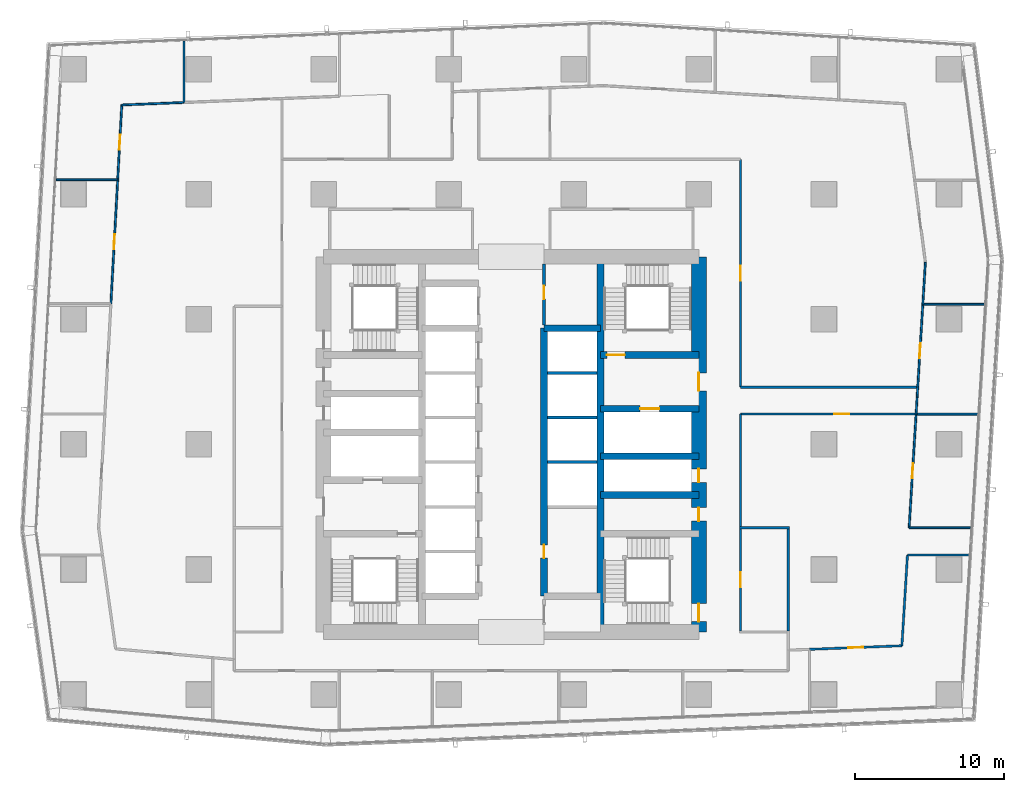
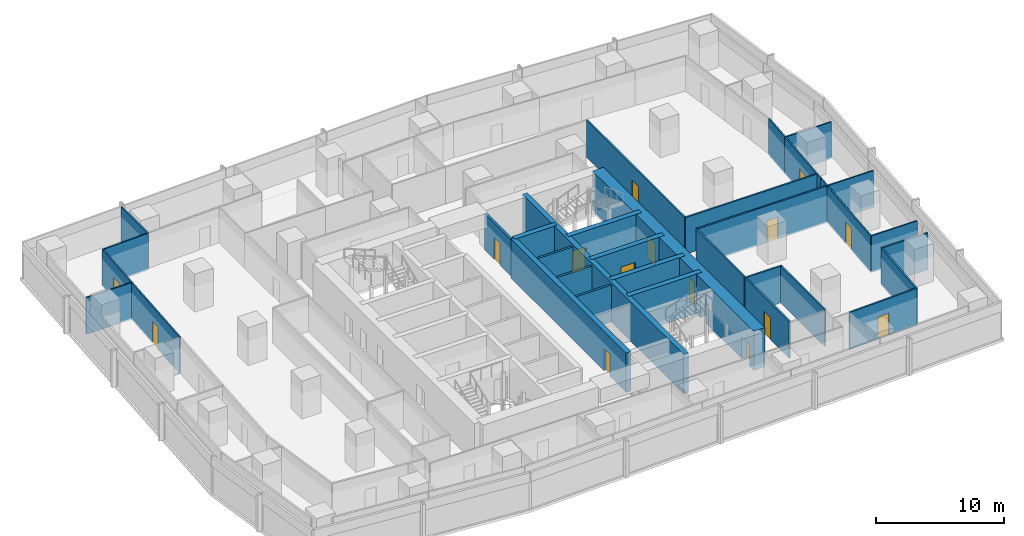
# One storey, part 30 of 40: 34 walls, 16 doors, 16 openings.
"""IFC4 building model written with IfcOpenShell, lengths in metres."""

from ifc_helpers import new_model, si_unit, direction, frame, frame_2d, origin, place, context, subcontext, project, spatial, rectangle, extrude, material, layer, layer_set, type_object, element, fill, save


model = new_model("IFC4")

# Units and contexts
model_context = context("Model", 3, precision=1e-05, world=origin(), true_north=direction((0.0, 1.0)))
body_context = subcontext(model_context, "Body", "Model", "MODEL_VIEW")
ifc_project = project(units=[si_unit("LENGTHUNIT", "METRE"), si_unit("AREAUNIT", "SQUARE_METRE"), si_unit("VOLUMEUNIT", "CUBIC_METRE"), si_unit("PLANEANGLEUNIT", "RADIAN"), si_unit("MASSUNIT", "GRAM", prefix="KILO")], contexts=[model_context])

# Site, building, storey
site_placement = place(None, origin())
site = spatial("IfcSite", under=ifc_project, at=site_placement, CompositionType="ELEMENT")
building_placement = place(site_placement, origin())
building = spatial("IfcBuilding", under=site, at=building_placement, Name="Rekha Terrace Tower", CompositionType="ELEMENT")
storey_placement = place(building_placement, frame((0.0, 0.0, 125.300048828125)))
storey = spatial("IfcBuildingStorey", under=building, at=storey_placement, Name="L31", CompositionType="ELEMENT", Elevation=125.300048828125)

# Wall
ifc_material_1 = material(Name="Concrete M70", Category="concrete")
ifc_layer_1 = layer(ifc_material_1, 0.449951171875)
ifc_layer_set_1 = layer_set([ifc_layer_1], Name="Concrete M70")
wall_type_1 = type_object("IfcWallType", Name="CI2 450 core internal shear wall", PredefinedType="SHEAR", material=ifc_layer_set_1)
wall_1_placement = place(storey_placement, frame((43.800048828125, 21.0, 0.0), z_axis=(0.0, 0.0, 1.0), x_axis=(0.0, 1.0, 0.0)))
element("IfcWall", 1, at=wall_1_placement, inside=storey, type_object=wall_type_1, Name="Core wall X438 L31", PredefinedType="SHEAR", context=body_context, shape_type="SweptSolid", body=[
    extrude(rectangle(XDim=25.199951171875, YDim=0.449951171875, at=frame_2d((12.60009765625, 0.0))), origin(), (0.0, 0.0, 1.0), 3.75),
])

# Wall, opening, door
wall_2_placement = place(storey_placement, frame((40.0, 23.39990234375, 0.0), z_axis=(0.0, 0.0, 1.0), x_axis=(0.0, 1.0, 0.0)))
wall_2 = element("IfcWall", 2, at=wall_2_placement, inside=storey, type_object=wall_type_1, Name="Core wall X400 L31", PredefinedType="SHEAR", context=body_context, shape_type="SweptSolid", body=[
    extrude(rectangle(XDim=18.0, YDim=0.449951171875, at=frame_2d((9.0, 0.0))), origin(), (0.0, 0.0, 1.0), 3.75),
])
opening_1_placement = place(wall_2_placement, frame((2.550048828125, 0.0, 0.0)))
opening_1 = element("IfcOpeningElement", 3, at=opening_1_placement, cuts=wall_2, Name="Opening D5", PredefinedType="OPENING", context=body_context, shape_type="SweptSolid", body=[
    extrude(rectangle(XDim=0.89990234375, YDim=2.10009765625, at=frame_2d((0.449951171875, 1.050048828125))), frame((0.0, 0.23486328125, 0.0), z_axis=(0.0, -1.0, 0.0), x_axis=(1.0, 0.0, 0.0)), (0.0, 0.0, 1.0), 0.469970703125),
])
ifc_material_2 = material(Name="Steel fire door", Category="steel")
door_type_1 = type_object("IfcDoorType", Name="D5 900x2100 riser access door", OperationType="SINGLE_SWING_LEFT", PredefinedType="DOOR", material=ifc_material_2)
door_1_placement = place(opening_1_placement, origin())
door_1 = element("IfcDoor", 4, at=door_1_placement, inside=storey, type_object=door_type_1, Name="Door back-of-house store L31", OperationType="SINGLE_SWING_LEFT", OverallHeight=2.10009765625, OverallWidth=0.89990234375, PredefinedType="DOOR", context=body_context, shape_type="SweptSolid", body=[
    extrude(rectangle(XDim=0.89990234375, YDim=2.10009765625, at=frame_2d((0.449951171875, 1.050048828125))), frame((0.0, 0.02490234375, 0.0), z_axis=(0.0, -1.0, 0.0), x_axis=(1.0, 0.0, 0.0)), (0.0, 0.0, 1.0), 0.050048828125),
])
fill(opening_1, door_1)

# Walls
wall_3_placement = place(storey_placement, frame((40.0, 41.39990234375, 0.0), z_axis=(0.0, 0.0, 1.0), x_axis=(1.0, 0.0, 0.0)))
element("IfcWall", 5, at=wall_3_placement, inside=storey, type_object=wall_type_1, Name="Core wall Y414E L31", PredefinedType="SHEAR", context=body_context, shape_type="SweptSolid", body=[
    extrude(rectangle(XDim=3.800048828125, YDim=0.449951171875, at=frame_2d((1.89990234375, 0.0))), origin(), (0.0, 0.0, 1.0), 3.75),
])
for number, where, z_axis, x_axis, name in (
    (6, (43.800048828125, 30.199951171875, 0.0), (0.0, 0.0, 1.0), (1.0, 0.0, 0.0), "Core wall Y302E L31"),
    (7, (43.800048828125, 32.800048828125, 0.0), (0.0, 0.0, 1.0), (1.0, 0.0, 0.0), "Core wall Y328E L31"),
):
    element("IfcWall", number, at=place(storey_placement, frame(where, z_axis=z_axis, x_axis=x_axis)), inside=storey, type_object=wall_type_1, Name=name, PredefinedType="SHEAR", context=body_context, shape_type="SweptSolid", body=[
        extrude(rectangle(XDim=6.599853515625, YDim=0.449951171875, at=frame_2d((3.2998046875, 0.0))), origin(), (0.0, 0.0, 1.0), 3.75),
    ])

# Wall, opening, door
wall_4_placement = place(storey_placement, frame((43.800048828125, 36.0, 0.0), z_axis=(0.0, 0.0, 1.0), x_axis=(1.0, 0.0, 0.0)))
wall_4 = element("IfcWall", 8, at=wall_4_placement, inside=storey, type_object=wall_type_1, Name="Core wall Y360E L31", PredefinedType="SHEAR", context=body_context, shape_type="SweptSolid", body=[
    extrude(rectangle(XDim=6.599853515625, YDim=0.449951171875, at=frame_2d((3.2998046875, 0.0))), origin(), (0.0, 0.0, 1.0), 3.75),
])
opening_2_placement = place(wall_4_placement, frame((2.64990234375, 0.0, 0.0)))
opening_2 = element("IfcOpeningElement", 9, at=opening_2_placement, cuts=wall_4, Name="Opening LD2", PredefinedType="OPENING", context=body_context, shape_type="SweptSolid", body=[
    extrude(rectangle(XDim=1.300048828125, YDim=2.10009765625, at=frame_2d((0.64990234375, 1.050048828125))), frame((0.0, 0.23486328125, 0.0), z_axis=(0.0, -1.0, 0.0), x_axis=(1.0, 0.0, 0.0)), (0.0, 0.0, 1.0), 0.469970703125),
])
ifc_material_3 = material(Name="Stainless steel sliding landing door", Category="steel")
door_type_2 = type_object("IfcDoorType", Name="LD2 1300x2100 fire lift landing door", OperationType="SLIDING_TO_LEFT", PredefinedType="USERDEFINED", material=ifc_material_3)
door_2_placement = place(opening_2_placement, origin())
door_2 = element("IfcDoor", 10, at=door_2_placement, inside=storey, type_object=door_type_2, Name="Lift FL2 landing door L31", ObjectType="LIFT LANDING DOOR", OperationType="SLIDING_TO_LEFT", OverallHeight=2.10009765625, OverallWidth=1.300048828125, PredefinedType="USERDEFINED", context=body_context, shape_type="SweptSolid", body=[
    extrude(rectangle(XDim=1.300048828125, YDim=2.10009765625, at=frame_2d((0.64990234375, 1.050048828125))), frame((0.0, 0.02490234375, 0.0), z_axis=(0.0, -1.0, 0.0), x_axis=(1.0, 0.0, 0.0)), (0.0, 0.0, 1.0), 0.050048828125),
])
fill(opening_2, door_2)

wall_5_placement = place(storey_placement, frame((43.800048828125, 39.60009765625, 0.0), z_axis=(0.0, 0.0, 1.0), x_axis=(1.0, 0.0, 0.0)))
wall_5 = element("IfcWall", 11, at=wall_5_placement, inside=storey, type_object=wall_type_1, Name="Core wall Y396E L31", PredefinedType="SHEAR", context=body_context, shape_type="SweptSolid", body=[
    extrude(rectangle(XDim=6.599853515625, YDim=0.449951171875, at=frame_2d((3.2998046875, 0.0))), origin(), (0.0, 0.0, 1.0), 3.75),
])
opening_3_placement = place(wall_5_placement, frame((0.425048828125, 0.0, 0.0)))
opening_3 = element("IfcOpeningElement", 12, at=opening_3_placement, cuts=wall_5, Name="Opening D1", PredefinedType="OPENING", context=body_context, shape_type="SweptSolid", body=[
    extrude(rectangle(XDim=1.199951171875, YDim=2.10009765625, at=frame_2d((0.60009765625, 1.050048828125))), frame((0.0, 0.23486328125, 0.0), z_axis=(0.0, -1.0, 0.0), x_axis=(1.0, 0.0, 0.0)), (0.0, 0.0, 1.0), 0.469970703125),
])
door_type_3 = type_object("IfcDoorType", Name="D1 1200x2100 stair fire door", OperationType="SINGLE_SWING_RIGHT", PredefinedType="DOOR", material=ifc_material_2)
door_3_placement = place(opening_3_placement, origin())
door_3 = element("IfcDoor", 13, at=door_3_placement, inside=storey, type_object=door_type_3, Name="Stair ST2 door L31", OperationType="SINGLE_SWING_RIGHT", OverallHeight=2.10009765625, OverallWidth=1.199951171875, PredefinedType="DOOR", context=body_context, shape_type="SweptSolid", body=[
    extrude(rectangle(XDim=1.199951171875, YDim=2.10009765625, at=frame_2d((0.60009765625, 1.050048828125))), frame((0.0, 0.02490234375, 0.0), z_axis=(0.0, -1.0, 0.0), x_axis=(1.0, 0.0, 0.0)), (0.0, 0.0, 1.0), 0.050048828125),
])
fill(opening_3, door_3)

# Wall, openings, doors
ifc_layer_2 = layer(ifc_material_1, 1.0)
ifc_layer_set_2 = layer_set([ifc_layer_2], Name="Concrete M70")
wall_type_2 = type_object("IfcWallType", Name="SW2 1000 core outer shear wall", PredefinedType="SHEAR", material=ifc_layer_set_2)
wall_6_placement = place(storey_placement, frame((50.39990234375, 21.0, 0.0), z_axis=(0.0, 0.0, 1.0), x_axis=(0.0, 1.0, 0.0)))
wall_6 = element("IfcWall", 14, at=wall_6_placement, inside=storey, type_object=wall_type_2, Name="Core wall E L31", PredefinedType="SHEAR", context=body_context, shape_type="SweptSolid", body=[
    extrude(rectangle(XDim=25.199951171875, YDim=1.0, at=frame_2d((12.60009765625, 0.0))), origin(), (0.0, 0.0, 1.0), 3.75),
])
opening_4_placement = place(wall_6_placement, frame((16.199951171875, 0.0, 0.0)))
opening_4 = element("IfcOpeningElement", 15, at=opening_4_placement, cuts=wall_6, Name="Opening D2", PredefinedType="OPENING", context=body_context, shape_type="SweptSolid", body=[
    extrude(rectangle(XDim=1.199951171875, YDim=2.10009765625, at=frame_2d((0.60009765625, 1.050048828125))), frame((0.0, 0.510009765625, 0.0), z_axis=(0.0, -1.0, 0.0), x_axis=(1.0, 0.0, 0.0)), (0.0, 0.0, 1.0), 1.02001953125),
])
opening_5_placement = place(wall_6_placement, frame((10.050048828125, 0.0, 0.0)))
opening_5 = element("IfcOpeningElement", 16, at=opening_5_placement, cuts=wall_6, Name="Opening D5", PredefinedType="OPENING", context=body_context, shape_type="SweptSolid", body=[
    extrude(rectangle(XDim=0.89990234375, YDim=2.10009765625, at=frame_2d((0.449951171875, 1.050048828125))), frame((0.0, 0.510009765625, 0.0), z_axis=(0.0, -1.0, 0.0), x_axis=(1.0, 0.0, 0.0)), (0.0, 0.0, 1.0), 1.02001953125),
])
opening_6_placement = place(wall_6_placement, frame((7.449951171875, 0.0, 0.0)))
opening_6 = element("IfcOpeningElement", 17, at=opening_6_placement, cuts=wall_6, Name="Opening D5", PredefinedType="OPENING", context=body_context, shape_type="SweptSolid", body=[
    extrude(rectangle(XDim=0.89990234375, YDim=2.10009765625, at=frame_2d((0.449951171875, 1.050048828125))), frame((0.0, 0.510009765625, 0.0), z_axis=(0.0, -1.0, 0.0), x_axis=(1.0, 0.0, 0.0)), (0.0, 0.0, 1.0), 1.02001953125),
])
opening_7_placement = place(wall_6_placement, frame((0.699951171875, 0.0, 0.0)))
opening_7 = element("IfcOpeningElement", 18, at=opening_7_placement, cuts=wall_6, Name="Opening D1", PredefinedType="OPENING", context=body_context, shape_type="SweptSolid", body=[
    extrude(rectangle(XDim=1.199951171875, YDim=2.10009765625, at=frame_2d((0.60009765625, 1.050048828125))), frame((0.0, 0.510009765625, 0.0), z_axis=(0.0, -1.0, 0.0), x_axis=(1.0, 0.0, 0.0)), (0.0, 0.0, 1.0), 1.02001953125),
])
door_4_placement = place(opening_7_placement, origin())
door_4 = element("IfcDoor", 19, at=door_4_placement, inside=storey, type_object=door_type_3, Name="Stair ST3 door L31", OperationType="SINGLE_SWING_RIGHT", OverallHeight=2.10009765625, OverallWidth=1.199951171875, PredefinedType="DOOR", context=body_context, shape_type="SweptSolid", body=[
    extrude(rectangle(XDim=1.199951171875, YDim=2.10009765625, at=frame_2d((0.60009765625, 1.050048828125))), frame((0.0, 0.02490234375, 0.0), z_axis=(0.0, -1.0, 0.0), x_axis=(1.0, 0.0, 0.0)), (0.0, 0.0, 1.0), 0.050048828125),
])
fill(opening_7, door_4)
door_type_4 = type_object("IfcDoorType", Name="D2 1200x2100 firefighting lobby door", OperationType="SINGLE_SWING_LEFT", PredefinedType="DOOR", material=ifc_material_2)
door_5_placement = place(opening_4_placement, origin())
door_5 = element("IfcDoor", 20, at=door_5_placement, inside=storey, type_object=door_type_4, Name="Door flb2 L31", OperationType="SINGLE_SWING_LEFT", OverallHeight=2.10009765625, OverallWidth=1.199951171875, PredefinedType="DOOR", context=body_context, shape_type="SweptSolid", body=[
    extrude(rectangle(XDim=1.199951171875, YDim=2.10009765625, at=frame_2d((0.60009765625, 1.050048828125))), frame((0.0, 0.02490234375, 0.0), z_axis=(0.0, -1.0, 0.0), x_axis=(1.0, 0.0, 0.0)), (0.0, 0.0, 1.0), 0.050048828125),
])
fill(opening_4, door_5)
door_6_placement = place(opening_5_placement, origin())
door_6 = element("IfcDoor", 21, at=door_6_placement, inside=storey, type_object=door_type_1, Name="Door rs2 L31", OperationType="SINGLE_SWING_LEFT", OverallHeight=2.10009765625, OverallWidth=0.89990234375, PredefinedType="DOOR", context=body_context, shape_type="SweptSolid", body=[
    extrude(rectangle(XDim=0.89990234375, YDim=2.10009765625, at=frame_2d((0.449951171875, 1.050048828125))), frame((0.0, 0.02490234375, 0.0), z_axis=(0.0, -1.0, 0.0), x_axis=(1.0, 0.0, 0.0)), (0.0, 0.0, 1.0), 0.050048828125),
])
fill(opening_5, door_6)
door_7_placement = place(opening_6_placement, origin())
door_7 = element("IfcDoor", 22, at=door_7_placement, inside=storey, type_object=door_type_1, Name="Door ele L31", OperationType="SINGLE_SWING_LEFT", OverallHeight=2.10009765625, OverallWidth=0.89990234375, PredefinedType="DOOR", context=body_context, shape_type="SweptSolid", body=[
    extrude(rectangle(XDim=0.89990234375, YDim=2.10009765625, at=frame_2d((0.449951171875, 1.050048828125))), frame((0.0, 0.02490234375, 0.0), z_axis=(0.0, -1.0, 0.0), x_axis=(1.0, 0.0, 0.0)), (0.0, 0.0, 1.0), 0.050048828125),
])
fill(opening_6, door_7)

# Wall
ifc_material_4 = material(Name="Concrete block masonry, 1 hour", Category="masonry")
ifc_layer_3 = layer(ifc_material_4, 0.14990234375)
ifc_layer_set_3 = layer_set([ifc_layer_3], Name="Concrete block masonry, 1 hour")
wall_type_3 = type_object("IfcWallType", Name="WP2 150 tenancy partition", PredefinedType="PARTITIONING", material=ifc_layer_set_3)
wall_7_placement = place(storey_placement, frame((53.125, 28.0, 0.0), z_axis=(0.0, 0.0, 1.0), x_axis=(1.0, 0.0, 0.0)))
element("IfcWall", 23, at=wall_7_placement, inside=storey, type_object=wall_type_3, Name="Men's WC wall L31", PredefinedType="PARTITIONING", context=body_context, shape_type="SweptSolid", body=[
    extrude(rectangle(XDim=3.35009765625, YDim=0.14990234375, at=frame_2d((1.675048828125, 0.0))), origin(), (0.0, 0.0, 1.0), 3.5),
])

# Wall, opening, door
wall_8_placement = place(storey_placement, frame((53.199951171875, 21.074951171875, 0.0), z_axis=(0.0, 0.0, 1.0), x_axis=(0.0, 1.0, 0.0)))
wall_8 = element("IfcWall", 24, at=wall_8_placement, inside=storey, type_object=wall_type_3, Name="Men's WC wall L31", PredefinedType="PARTITIONING", context=body_context, shape_type="SweptSolid", body=[
    extrude(rectangle(XDim=6.85009765625, YDim=0.14990234375, at=frame_2d((3.425048828125, 0.0))), origin(), (0.0, 0.0, 1.0), 3.5),
])
opening_8_placement = place(wall_8_placement, frame((2.925048828125, 0.0, 0.0)))
opening_8 = element("IfcOpeningElement", 25, at=opening_8_placement, cuts=wall_8, Name="Opening D3", PredefinedType="OPENING", context=body_context, shape_type="SweptSolid", body=[
    extrude(rectangle(XDim=1.0, YDim=2.10009765625, at=frame_2d((0.5, 1.050048828125))), frame((0.0, 0.0849609375, 0.0), z_axis=(0.0, -1.0, 0.0), x_axis=(1.0, 0.0, 0.0)), (0.0, 0.0, 1.0), 0.169921875),
])
ifc_material_5 = material(Name="Laminated timber fire door", Category="wood")
door_type_5 = type_object("IfcDoorType", Name="D3 1000x2100 WC door", OperationType="SINGLE_SWING_LEFT", PredefinedType="DOOR", material=ifc_material_5)
door_8_placement = place(opening_8_placement, origin())
door_8 = element("IfcDoor", 26, at=door_8_placement, inside=storey, type_object=door_type_5, Name="Door men's wc L31", OperationType="SINGLE_SWING_LEFT", OverallHeight=2.10009765625, OverallWidth=1.0, PredefinedType="DOOR", context=body_context, shape_type="SweptSolid", body=[
    extrude(rectangle(XDim=1.0, YDim=2.10009765625, at=frame_2d((0.5, 1.050048828125))), frame((0.0, 0.02490234375, 0.0), z_axis=(0.0, -1.0, 0.0), x_axis=(1.0, 0.0, 0.0)), (0.0, 0.0, 1.0), 0.050048828125),
])
fill(opening_8, door_8)

# Walls
wall_9_placement = place(storey_placement, frame((56.39990234375, 21.074951171875, 0.0), z_axis=(0.0, 0.0, 1.0), x_axis=(0.0, 1.0, 0.0)))
element("IfcWall", 27, at=wall_9_placement, inside=storey, type_object=wall_type_3, Name="Men's WC wall L31", PredefinedType="PARTITIONING", context=body_context, shape_type="SweptSolid", body=[
    extrude(rectangle(XDim=6.85009765625, YDim=0.14990234375, at=frame_2d((3.425048828125, 0.0))), origin(), (0.0, 0.0, 1.0), 3.5),
])
wall_10_placement = place(storey_placement, frame((65.04296875, 37.43701171875, 0.0), z_axis=(0.0, 0.0, 1.0), x_axis=(-1.0, 0.0, 0.0)))
element("IfcWall", 28, at=wall_10_placement, inside=storey, type_object=wall_type_3, Name="Partition L31-O1", PredefinedType="PARTITIONING", context=body_context, shape_type="SweptSolid", body=[
    extrude(rectangle(XDim=11.843017578125, YDim=0.14990234375, at=frame_2d((5.92138671875, 0.0))), origin(), (0.0, 0.0, 1.0), 3.5),
])

# Wall, opening, door
wall_11_placement = place(storey_placement, frame((53.199951171875, 37.43701171875, 0.0), z_axis=(0.0, 0.0, 1.0), x_axis=(0.0, 1.0, 0.0)))
wall_11 = element("IfcWall", 29, at=wall_11_placement, inside=storey, type_object=wall_type_3, Name="Partition L31-O1", PredefinedType="PARTITIONING", context=body_context, shape_type="SweptSolid", body=[
    extrude(rectangle(XDim=15.31298828125, YDim=0.14990234375, at=frame_2d((7.656494140625, 0.0))), origin(), (0.0, 0.0, 1.0), 3.5),
])
opening_9_placement = place(wall_11_placement, frame((7.156982421875, 0.0, 0.0)))
opening_9 = element("IfcOpeningElement", 30, at=opening_9_placement, cuts=wall_11, Name="Opening D9", PredefinedType="OPENING", context=body_context, shape_type="SweptSolid", body=[
    extrude(rectangle(XDim=1.0, YDim=2.10009765625, at=frame_2d((0.5, 1.050048828125))), frame((0.0, 0.0849609375, 0.0), z_axis=(0.0, -1.0, 0.0), x_axis=(1.0, 0.0, 0.0)), (0.0, 0.0, 1.0), 0.169921875),
])
ifc_material_6 = material(Name="Timber fire door", Category="wood")
door_type_6 = type_object("IfcDoorType", Name="D9 1000x2100 office door", OperationType="SINGLE_SWING_LEFT", PredefinedType="DOOR", material=ifc_material_6)
door_9_placement = place(opening_9_placement, origin())
door_9 = element("IfcDoor", 31, at=door_9_placement, inside=storey, type_object=door_type_6, Name="Door open-plan office L31", OperationType="SINGLE_SWING_LEFT", OverallHeight=2.10009765625, OverallWidth=1.0, PredefinedType="DOOR", context=body_context, shape_type="SweptSolid", body=[
    extrude(rectangle(XDim=1.0, YDim=2.10009765625, at=frame_2d((0.5, 1.050048828125))), frame((0.0, 0.02490234375, 0.0), z_axis=(0.0, -1.0, 0.0), x_axis=(1.0, 0.0, 0.0)), (0.0, 0.0, 1.0), 0.050048828125),
])
fill(opening_9, door_9)

# Wall
wall_12_placement = place(storey_placement, frame((53.199951171875, 28.074951171875, 0.0), z_axis=(0.0, 0.0, 1.0), x_axis=(0.0, 1.0, 0.0)))
element("IfcWall", 32, at=wall_12_placement, inside=storey, type_object=wall_type_3, Name="Partition L31-O1b", PredefinedType="PARTITIONING", context=body_context, shape_type="SweptSolid", body=[
    extrude(rectangle(XDim=7.56201171875, YDim=0.14990234375, at=frame_2d((3.781005859375, 0.0))), origin(), (0.0, 0.0, 1.0), 3.5),
])

# Wall, opening, door
wall_13_placement = place(storey_placement, frame((53.199951171875, 35.636962890625, 0.0), z_axis=(0.0, 0.0, 1.0), x_axis=(1.0, 0.0, 0.0)))
wall_13 = element("IfcWall", 33, at=wall_13_placement, inside=storey, type_object=wall_type_3, Name="Partition L31-O1b", PredefinedType="PARTITIONING", context=body_context, shape_type="SweptSolid", body=[
    extrude(rectangle(XDim=11.74609375, YDim=0.14990234375, at=frame_2d((5.873046875, 0.0))), origin(), (0.0, 0.0, 1.0), 3.5),
])
opening_10_placement = place(wall_13_placement, frame((6.297119140625, 0.0, 0.0)))
opening_10 = element("IfcOpeningElement", 34, at=opening_10_placement, cuts=wall_13, Name="Opening D9", PredefinedType="OPENING", context=body_context, shape_type="SweptSolid", body=[
    extrude(rectangle(XDim=1.0, YDim=2.10009765625, at=frame_2d((0.5, 1.050048828125))), frame((0.0, 0.0849609375, 0.0), z_axis=(0.0, -1.0, 0.0), x_axis=(1.0, 0.0, 0.0)), (0.0, 0.0, 1.0), 0.169921875),
])
door_10_placement = place(opening_10_placement, origin())
door_10 = element("IfcDoor", 35, at=door_10_placement, inside=storey, type_object=door_type_6, Name="Door open-plan office L31", OperationType="SINGLE_SWING_LEFT", OverallHeight=2.10009765625, OverallWidth=1.0, PredefinedType="DOOR", context=body_context, shape_type="SweptSolid", body=[
    extrude(rectangle(XDim=1.0, YDim=2.10009765625, at=frame_2d((0.5, 1.050048828125))), frame((0.0, 0.02490234375, 0.0), z_axis=(0.0, -1.0, 0.0), x_axis=(1.0, 0.0, 0.0)), (0.0, 0.0, 1.0), 0.050048828125),
])
fill(opening_10, door_10)

# Walls
wall_14_placement = place(storey_placement, frame((68.572021484375, 26.166015625, 0.0), z_axis=(0.0, 0.0, 1.0), x_axis=(-1.0, 0.0, 0.0)))
element("IfcWall", 36, at=wall_14_placement, inside=storey, type_object=wall_type_3, Name="Partition L31-O1b", PredefinedType="PARTITIONING", context=body_context, shape_type="SweptSolid", body=[
    extrude(rectangle(XDim=4.156982421875, YDim=0.14990234375, at=frame_2d((2.07861328125, 0.0))), origin(), (0.0, 0.0, 1.0), 3.5),
])
wall_15_placement = place(storey_placement, frame((64.4150390625, 26.166015625, 0.0), z_axis=(0.0, 0.0, 1.0), x_axis=(-0.061250692479, -0.99812241367, 0.0)))
element("IfcWall", 37, at=wall_15_placement, inside=storey, type_object=wall_type_3, Name="Partition L31-O1b", PredefinedType="PARTITIONING", context=body_context, shape_type="SweptSolid", body=[
    extrude(rectangle(XDim=6.1064453125, YDim=0.14990234375, at=frame_2d((3.05322265625, 0.0))), origin(), (0.0, 0.0, 1.0), 3.5),
])

# Wall, opening, door
wall_16_placement = place(storey_placement, frame((64.041015625, 20.071044921875, 0.0), z_axis=(0.0, 0.0, 1.0), x_axis=(-0.999246582692, -0.038810655482, 0.0)))
wall_16 = element("IfcWall", 38, at=wall_16_placement, inside=storey, type_object=wall_type_3, Name="Partition L31-O1b", PredefinedType="PARTITIONING", context=body_context, shape_type="SweptSolid", body=[
    extrude(rectangle(XDim=6.208740234375, YDim=0.14990234375, at=frame_2d((3.1044921875, 0.0))), origin(), (0.0, 0.0, 1.0), 3.5),
])
opening_11_placement = place(wall_16_placement, frame((2.60400390625, 0.0, 0.0)))
opening_11 = element("IfcOpeningElement", 39, at=opening_11_placement, cuts=wall_16, Name="Opening D9", PredefinedType="OPENING", context=body_context, shape_type="SweptSolid", body=[
    extrude(rectangle(XDim=1.0, YDim=2.10009765625, at=frame_2d((0.5, 1.050048828125))), frame((0.0, 0.0849609375, 0.0), z_axis=(0.0, -1.0, 0.0), x_axis=(1.0, 0.0, 0.0)), (0.0, 0.0, 1.0), 0.169921875),
])
door_11_placement = place(opening_11_placement, origin())
door_11 = element("IfcDoor", 40, at=door_11_placement, inside=storey, type_object=door_type_6, Name="Door director's office L31", OperationType="SINGLE_SWING_LEFT", OverallHeight=2.10009765625, OverallWidth=1.0, PredefinedType="DOOR", context=body_context, shape_type="SweptSolid", body=[
    extrude(rectangle(XDim=1.0, YDim=2.10009765625, at=frame_2d((0.5, 1.050048828125))), frame((0.0, 0.02490234375, 0.0), z_axis=(0.0, -1.0, 0.0), x_axis=(1.0, 0.0, 0.0)), (0.0, 0.0, 1.0), 0.050048828125),
])
fill(opening_11, door_11)

# Walls
ifc_material_7 = material(Name="Two layers of fire-rated gypsum board each side on steel studs, acoustic quilt, 1 hour", Category="steel")
ifc_layer_4 = layer(ifc_material_7, 0.125)
ifc_layer_set_4 = layer_set([ifc_layer_4], Name="Two layers of fire-rated gypsum board each side on steel studs, acoustic quilt, 1 hour")
wall_type_4 = type_object("IfcWallType", Name="WP3 125 office partition", PredefinedType="PARTITIONING", material=ifc_layer_set_4)
wall_17_placement = place(storey_placement, frame((64.9951171875, 35.633056640625, 0.0), z_axis=(0.0, 0.0, 1.0), x_axis=(1.0, 0.0, 0.0)))
element("IfcWall", 41, at=wall_17_placement, inside=storey, type_object=wall_type_4, Name="Partition L31-02", PredefinedType="PARTITIONING", context=body_context, shape_type="SweptSolid", body=[
    extrude(rectangle(XDim=4.156982421875, YDim=0.125, at=frame_2d((2.07861328125, 0.0))), origin(), (0.0, 0.0, 1.0), 3.5),
])
wall_18_placement = place(storey_placement, frame((68.655029296875, 28.0009765625, 0.0), z_axis=(0.0, 0.0, 1.0), x_axis=(-1.0, 0.0, 0.0)))
element("IfcWall", 42, at=wall_18_placement, inside=storey, type_object=wall_type_4, Name="Partition L31-02", PredefinedType="PARTITIONING", context=body_context, shape_type="SweptSolid", body=[
    extrude(rectangle(XDim=4.1279296875, YDim=0.125, at=frame_2d((2.06396484375, 0.0))), origin(), (0.0, 0.0, 1.0), 3.5),
])

# Wall, opening, door
wall_19_placement = place(storey_placement, frame((64.527099609375, 28.0009765625, 0.0), z_axis=(0.0, 0.0, 1.0), x_axis=(0.061207439092, 0.998125067013, 0.0)))
wall_19 = element("IfcWall", 43, at=wall_19_placement, inside=storey, type_object=wall_type_4, Name="Partition L31-02", PredefinedType="PARTITIONING", context=body_context, shape_type="SweptSolid", body=[
    extrude(rectangle(XDim=7.646484375, YDim=0.125, at=frame_2d((3.8232421875, 0.0))), origin(), (0.0, 0.0, 1.0), 3.5),
])
opening_12_placement = place(wall_19_placement, frame((3.322998046875, 0.0, 0.0)))
opening_12 = element("IfcOpeningElement", 44, at=opening_12_placement, cuts=wall_19, Name="Opening D9", PredefinedType="OPENING", context=body_context, shape_type="SweptSolid", body=[
    extrude(rectangle(XDim=1.0, YDim=2.10009765625, at=frame_2d((0.5, 1.050048828125))), frame((0.0, 0.072509765625, 0.0), z_axis=(0.0, -1.0, 0.0), x_axis=(1.0, 0.0, 0.0)), (0.0, 0.0, 1.0), 0.14501953125),
])
door_12_placement = place(opening_12_placement, origin())
door_12 = element("IfcDoor", 45, at=door_12_placement, inside=storey, type_object=door_type_6, Name="Door office L31", OperationType="SINGLE_SWING_LEFT", OverallHeight=2.10009765625, OverallWidth=1.0, PredefinedType="DOOR", context=body_context, shape_type="SweptSolid", body=[
    extrude(rectangle(XDim=1.0, YDim=2.10009765625, at=frame_2d((0.5, 1.050048828125))), frame((0.0, 0.02490234375, 0.0), z_axis=(0.0, -1.0, 0.0), x_axis=(1.0, 0.0, 0.0)), (0.0, 0.0, 1.0), 0.050048828125),
])
fill(opening_12, door_12)

wall_20_placement = place(storey_placement, frame((65.06396484375, 36.760009765625, 0.0), z_axis=(0.0, 0.0, 1.0), x_axis=(0.061155234725, 0.998128266941, 0.0)))
wall_20 = element("IfcWall", 46, at=wall_20_placement, inside=storey, type_object=wall_type_4, Name="Partition L31-03", PredefinedType="PARTITIONING", context=body_context, shape_type="SweptSolid", body=[
    extrude(rectangle(XDim=6.263671875, YDim=0.125, at=frame_2d((3.1318359375, 0.0))), origin(), (0.0, 0.0, 1.0), 3.5),
])
opening_13_placement = place(wall_20_placement, frame((2.632080078125, 0.0, 0.0)))
opening_13 = element("IfcOpeningElement", 47, at=opening_13_placement, cuts=wall_20, Name="Opening D9", PredefinedType="OPENING", context=body_context, shape_type="SweptSolid", body=[
    extrude(rectangle(XDim=1.0, YDim=2.10009765625, at=frame_2d((0.5, 1.050048828125))), frame((0.0, 0.072509765625, 0.0), z_axis=(0.0, -1.0, 0.0), x_axis=(1.0, 0.0, 0.0)), (0.0, 0.0, 1.0), 0.14501953125),
])
door_13_placement = place(opening_13_placement, origin())
door_13 = element("IfcDoor", 48, at=door_13_placement, inside=storey, type_object=door_type_6, Name="Door office L31", OperationType="SINGLE_SWING_LEFT", OverallHeight=2.10009765625, OverallWidth=1.0, PredefinedType="DOOR", context=body_context, shape_type="SweptSolid", body=[
    extrude(rectangle(XDim=1.0, YDim=2.10009765625, at=frame_2d((0.5, 1.050048828125))), frame((0.0, 0.02490234375, 0.0), z_axis=(0.0, -1.0, 0.0), x_axis=(1.0, 0.0, 0.0)), (0.0, 0.0, 1.0), 0.050048828125),
])
fill(opening_13, door_13)

# Walls
wall_21_placement = place(storey_placement, frame((65.447021484375, 43.011962890625, 0.0), z_axis=(0.0, 0.0, 1.0), x_axis=(1.0, 0.0, 0.0)))
element("IfcWall", 49, at=wall_21_placement, inside=storey, type_object=wall_type_4, Name="Partition L31-03", PredefinedType="PARTITIONING", context=body_context, shape_type="SweptSolid", body=[
    extrude(rectangle(XDim=4.156982421875, YDim=0.125, at=frame_2d((2.07861328125, 0.0))), origin(), (0.0, 0.0, 1.0), 3.5),
])
wall_22_placement = place(storey_placement, frame((64.9951171875, 35.634033203125, 0.0), z_axis=(0.0, 0.0, 1.0), x_axis=(0.061030858212, 0.998135879701, 0.0)))
element("IfcWall", 50, at=wall_22_placement, inside=storey, type_object=wall_type_4, Name="Partition L31-03", PredefinedType="PARTITIONING", context=body_context, shape_type="SweptSolid", body=[
    extrude(rectangle(XDim=1.128173828125, YDim=0.125, at=frame_2d((0.56396484375, 0.0))), origin(), (0.0, 0.0, 1.0), 3.5),
])
wall_23_placement = place(storey_placement, frame((65.447021484375, 43.012939453125, 0.0), z_axis=(0.0, 0.0, 1.0), x_axis=(0.060944611384, 0.998141149509, 0.0)))
element("IfcWall", 51, at=wall_23_placement, inside=storey, type_object=wall_type_4, Name="Partition L31-04", PredefinedType="PARTITIONING", context=body_context, shape_type="SweptSolid", body=[
    extrude(rectangle(XDim=2.820068359375, YDim=0.125, at=frame_2d((1.41015625, 0.0))), origin(), (0.0, 0.0, 1.0), 3.5),
])
wall_24_placement = place(storey_placement, frame((15.81494140625, 56.56591796875, 0.0), z_axis=(0.0, 0.0, 1.0), x_axis=(0.0, 1.0, 0.0)))
element("IfcWall", 52, at=wall_24_placement, inside=storey, type_object=wall_type_4, Name="Partition L31-10", PredefinedType="PARTITIONING", context=body_context, shape_type="SweptSolid", body=[
    extrude(rectangle(XDim=4.123046875, YDim=0.125, at=frame_2d((2.0615234375, 0.0))), origin(), (0.0, 0.0, 1.0), 3.5),
])
wall_25_placement = place(storey_placement, frame((11.362060546875, 51.37890625, 0.0), z_axis=(0.0, 0.0, 1.0), x_axis=(-1.0, 0.0, 0.0)))
element("IfcWall", 53, at=wall_25_placement, inside=storey, type_object=wall_type_4, Name="Partition L31-11", PredefinedType="PARTITIONING", context=body_context, shape_type="SweptSolid", body=[
    extrude(rectangle(XDim=4.1259765625, YDim=0.125, at=frame_2d((2.06298828125, 0.0))), origin(), (0.0, 0.0, 1.0), 3.5),
])
wall_26_placement = place(storey_placement, frame((15.81396484375, 56.56591796875, 0.0), z_axis=(0.0, 0.0, 1.0), x_axis=(-0.999192069217, -0.040189660545, 0.0)))
element("IfcWall", 54, at=wall_26_placement, inside=storey, type_object=wall_type_4, Name="Partition L31-11", PredefinedType="PARTITIONING", context=body_context, shape_type="SweptSolid", body=[
    extrude(rectangle(XDim=4.179443359375, YDim=0.125, at=frame_2d((2.08984375, 0.0))), origin(), (0.0, 0.0, 1.0), 3.5),
])

# Wall, opening, door
wall_27_placement = place(storey_placement, frame((11.637939453125, 56.39794921875, 0.0), z_axis=(0.0, 0.0, 1.0), x_axis=(-0.05488358881, -0.998492759953, 0.0)))
wall_27 = element("IfcWall", 55, at=wall_27_placement, inside=storey, type_object=wall_type_4, Name="Partition L31-11", PredefinedType="PARTITIONING", context=body_context, shape_type="SweptSolid", body=[
    extrude(rectangle(XDim=5.026611328125, YDim=0.125, at=frame_2d((2.51318359375, 0.0))), origin(), (0.0, 0.0, 1.0), 3.5),
])
opening_14_placement = place(wall_27_placement, frame((2.012939453125, 0.0, 0.0)))
opening_14 = element("IfcOpeningElement", 56, at=opening_14_placement, cuts=wall_27, Name="Opening D9", PredefinedType="OPENING", context=body_context, shape_type="SweptSolid", body=[
    extrude(rectangle(XDim=1.0, YDim=2.10009765625, at=frame_2d((0.5, 1.050048828125))), frame((0.0, 0.072509765625, 0.0), z_axis=(0.0, -1.0, 0.0), x_axis=(1.0, 0.0, 0.0)), (0.0, 0.0, 1.0), 0.14501953125),
])
door_14_placement = place(opening_14_placement, origin())
door_14 = element("IfcDoor", 57, at=door_14_placement, inside=storey, type_object=door_type_6, Name="Door director's office L31", OperationType="SINGLE_SWING_LEFT", OverallHeight=2.10009765625, OverallWidth=1.0, PredefinedType="DOOR", context=body_context, shape_type="SweptSolid", body=[
    extrude(rectangle(XDim=1.0, YDim=2.10009765625, at=frame_2d((0.5, 1.050048828125))), frame((0.0, 0.02490234375, 0.0), z_axis=(0.0, -1.0, 0.0), x_axis=(1.0, 0.0, 0.0)), (0.0, 0.0, 1.0), 0.050048828125),
])
fill(opening_14, door_14)

wall_28_placement = place(storey_placement, frame((11.362060546875, 51.3779296875, 0.0), z_axis=(0.0, 0.0, 1.0), x_axis=(-0.054769987218, -0.998498997746, 0.0)))
wall_28 = element("IfcWall", 58, at=wall_28_placement, inside=storey, type_object=wall_type_4, Name="Partition L31-12", PredefinedType="PARTITIONING", context=body_context, shape_type="SweptSolid", body=[
    extrude(rectangle(XDim=8.344482421875, YDim=0.125, at=frame_2d((4.17236328125, 0.0))), origin(), (0.0, 0.0, 1.0), 3.5),
])
opening_15_placement = place(wall_28_placement, frame((3.672119140625, 0.0, 0.0)))
opening_15 = element("IfcOpeningElement", 59, at=opening_15_placement, cuts=wall_28, Name="Opening D9", PredefinedType="OPENING", context=body_context, shape_type="SweptSolid", body=[
    extrude(rectangle(XDim=1.0, YDim=2.10009765625, at=frame_2d((0.5, 1.050048828125))), frame((0.0, 0.072509765625, 0.0), z_axis=(0.0, -1.0, 0.0), x_axis=(1.0, 0.0, 0.0)), (0.0, 0.0, 1.0), 0.14501953125),
])
door_15_placement = place(opening_15_placement, origin())
door_15 = element("IfcDoor", 60, at=door_15_placement, inside=storey, type_object=door_type_6, Name="Door wellness room L31", OperationType="SINGLE_SWING_LEFT", OverallHeight=2.10009765625, OverallWidth=1.0, PredefinedType="DOOR", context=body_context, shape_type="SweptSolid", body=[
    extrude(rectangle(XDim=1.0, YDim=2.10009765625, at=frame_2d((0.5, 1.050048828125))), frame((0.0, 0.02490234375, 0.0), z_axis=(0.0, -1.0, 0.0), x_axis=(1.0, 0.0, 0.0)), (0.0, 0.0, 1.0), 0.050048828125),
])
fill(opening_15, door_15)

# Walls
ifc_material_8 = material(Name="Solid concrete block masonry, 2 hour", Category="masonry")
ifc_layer_5 = layer(ifc_material_8, 0.199951171875)
ifc_layer_set_5 = layer_set([ifc_layer_5], Name="Solid concrete block masonry, 2 hour")
wall_type_5 = type_object("IfcWallType", Name="WS1 200 stair and shaft enclosure", PredefinedType="PARTITIONING", material=ifc_layer_set_5)
for number, where, z_axis, x_axis, name in (
    (61, (40.22509765625, 32.39990234375, 0.0), (0.0, 0.0, 1.0), (1.0, 0.0, 0.0), "Lift shaft divider L31"),
    (62, (40.22509765625, 35.39990234375, 0.0), (0.0, 0.0, 1.0), (1.0, 0.0, 0.0), "Lift shaft divider L31"),
    (63, (40.22509765625, 38.39990234375, 0.0), (0.0, 0.0, 1.0), (1.0, 0.0, 0.0), "Lift shaft divider L31"),
):
    element("IfcWall", number, at=place(storey_placement, frame(where, z_axis=z_axis, x_axis=x_axis)), inside=storey, type_object=wall_type_5, Name=name, PredefinedType="PARTITIONING", context=body_context, shape_type="SweptSolid", body=[
        extrude(rectangle(XDim=3.349853515625, YDim=0.199951171875, at=frame_2d((1.6748046875, 0.0))), origin(), (0.0, 0.0, 1.0), 3.5),
    ])

# Wall, opening, door
wall_29_placement = place(storey_placement, frame((40.0, 41.625, 0.0), z_axis=(0.0, 0.0, 1.0), x_axis=(0.0, 1.0, 0.0)))
wall_29 = element("IfcWall", 64, at=wall_29_placement, inside=storey, type_object=wall_type_5, Name="Core partition elec L31", PredefinedType="PARTITIONING", context=body_context, shape_type="SweptSolid", body=[
    extrude(rectangle(XDim=4.074951171875, YDim=0.199951171875, at=frame_2d((2.03759765625, 0.0))), origin(), (0.0, 0.0, 1.0), 3.5),
])
opening_16_placement = place(wall_29_placement, frame((1.72509765625, 0.0, 0.0)))
opening_16 = element("IfcOpeningElement", 65, at=opening_16_placement, cuts=wall_29, Name="Opening D5", PredefinedType="OPENING", context=body_context, shape_type="SweptSolid", body=[
    extrude(rectangle(XDim=0.89990234375, YDim=2.10009765625, at=frame_2d((0.449951171875, 1.050048828125))), frame((0.0, 0.10986328125, 0.0), z_axis=(0.0, -1.0, 0.0), x_axis=(1.0, 0.0, 0.0)), (0.0, 0.0, 1.0), 0.219970703125),
])
door_16_placement = place(opening_16_placement, origin())
door_16 = element("IfcDoor", 66, at=door_16_placement, inside=storey, type_object=door_type_1, Name="Door electrical room L31", OperationType="SINGLE_SWING_LEFT", OverallHeight=2.10009765625, OverallWidth=0.89990234375, PredefinedType="DOOR", context=body_context, shape_type="SweptSolid", body=[
    extrude(rectangle(XDim=0.89990234375, YDim=2.10009765625, at=frame_2d((0.449951171875, 1.050048828125))), frame((0.0, 0.02490234375, 0.0), z_axis=(0.0, -1.0, 0.0), x_axis=(1.0, 0.0, 0.0)), (0.0, 0.0, 1.0), 0.050048828125),
])
fill(opening_16, door_16)

save(model, "model.ifc")
